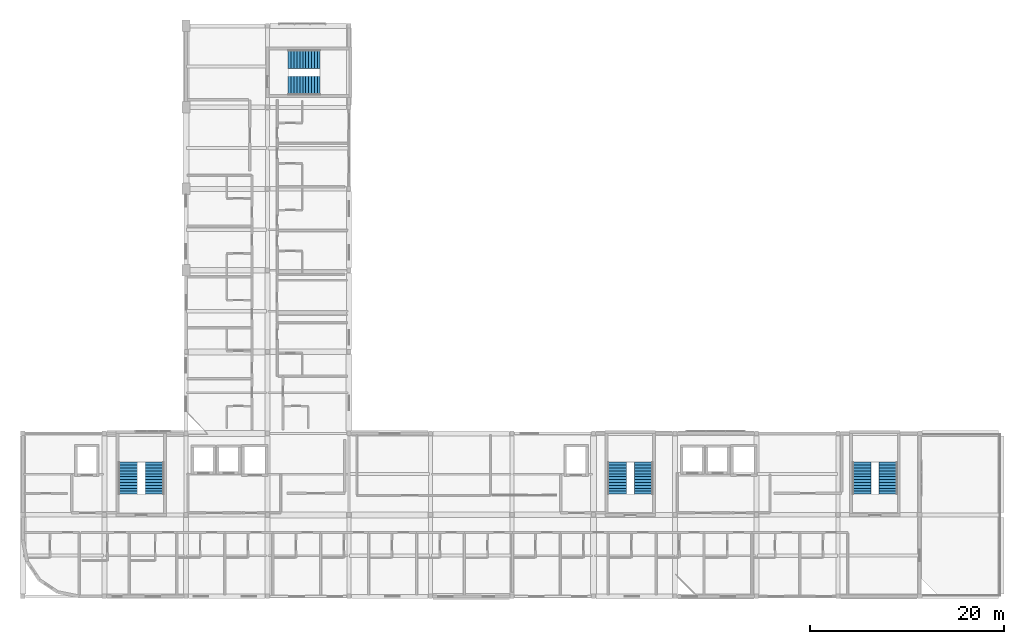
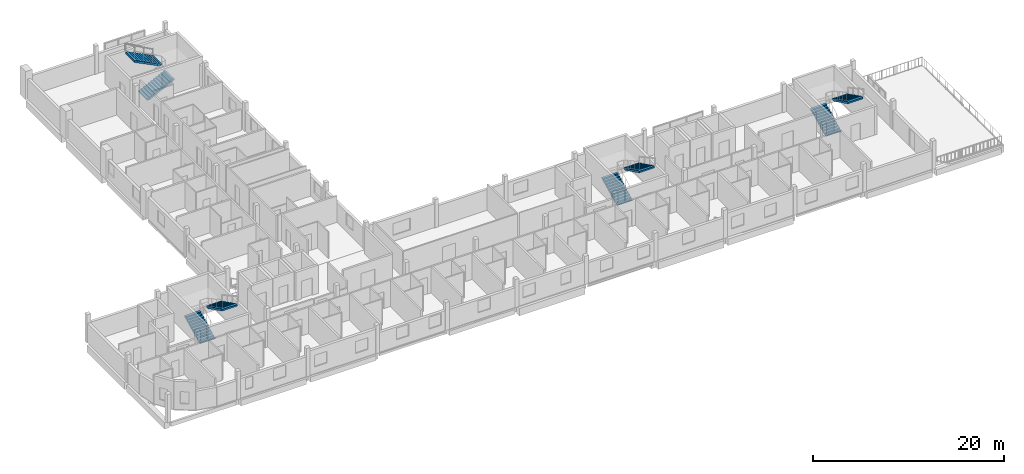
# One storey, part 17 of 19: 8 stair flights, 4 elements without a shape of their own.
"""IFC4 building model written with IfcOpenShell, lengths in metres."""

from ifc_helpers import new_model, si_unit, derived_unit, direction, frame, origin, place, context, subcontext, project, spatial, polyline, outline, extrude, material, type_object, element, aggregate, save


model = new_model("IFC4")

# Units and contexts
model_context = context("Model", 3, precision=1e-05, world=origin(), true_north=direction((0.0, 1.0)))
body_context = subcontext(model_context, "Body", "Model", "MODEL_VIEW")
ifc_project = project(units=[si_unit("LENGTHUNIT", "METRE"), si_unit("AREAUNIT", "SQUARE_METRE"), si_unit("VOLUMEUNIT", "CUBIC_METRE"), si_unit("PLANEANGLEUNIT", "RADIAN"), si_unit("MASSUNIT", "GRAM", prefix="KILO"), derived_unit("THERMALTRANSMITTANCEUNIT", [(si_unit("POWERUNIT", "WATT"), 1), (si_unit("LENGTHUNIT", "METRE"), -2), (si_unit("THERMODYNAMICTEMPERATUREUNIT", "KELVIN"), -1)])], contexts=[model_context])

# Site, building, storey
site_placement = place(None, origin())
site = spatial("IfcSite", under=ifc_project, at=site_placement, CompositionType="ELEMENT")
building_placement = place(site_placement, origin())
building = spatial("IfcBuilding", under=site, at=building_placement, Name="Barrovel Congress Hotel", CompositionType="ELEMENT")
storey_placement = place(building_placement, frame((0.0, 0.0, 43.5)))
storey = spatial("IfcBuildingStorey", under=building, at=storey_placement, Name="L11", CompositionType="ELEMENT", Elevation=43.5)

# Stair, stair flights
ifc_material = material(Name="Concrete C40", Category="concrete")
stair_type_1 = type_object("IfcStairType", Name="STR-HT-360", PredefinedType="HALF_TURN_STAIR", material=ifc_material)
stair_1_placement = place(storey_placement, origin())
stair_1 = element("IfcStair", 1, at=stair_1_placement, inside=storey, type_object=stair_type_1, Name="Exit Stair XS-01 (L11)", PredefinedType="HALF_TURN_STAIR")
stair_flight_type_1 = type_object("IfcStairFlightType", Name="SFL-200x180", PredefinedType="STRAIGHT", material=ifc_material)
stair_flight_1_placement = place(storey_placement, frame((27.679931640625, 14.739990234375, 0.0), z_axis=(0.0, 0.0, 1.0), x_axis=(0.0, 1.0, 0.0)))
stair_flight_1 = element("IfcStairFlight", 2, at=stair_flight_1_placement, type_object=stair_flight_type_1, Name="STAIR:XS-01:L11:F1", NumberOfRisers=12, NumberOfTreads=11, PredefinedType="STRAIGHT", RiserHeight=0.15, TreadLength=0.3, context=body_context, shape_type="SweptSolid", body=[
    extrude(outline(polyline([(0.0, 0.0), (0.0, 0.14990234375), (0.300048828125, 0.14990234375), (0.300048828125, 0.300048828125), (0.60009765625, 0.300048828125), (0.60009765625, 0.449951171875), (0.89990234375, 0.449951171875), (0.89990234375, 0.60009765625), (1.199951171875, 0.60009765625), (1.199951171875, 0.75), (1.5, 0.75), (1.5, 0.89990234375), (1.800048828125, 0.89990234375), (1.800048828125, 1.050048828125), (2.10009765625, 1.050048828125), (2.10009765625, 1.199951171875), (2.39990234375, 1.199951171875), (2.39990234375, 1.35009765625), (2.699951171875, 1.35009765625), (2.699951171875, 1.5), (3.0, 1.5), (3.0, 1.64990234375), (3.300048828125, 1.64990234375), (3.300048828125, 1.800048828125), (3.300048828125, 1.44873046875), (0.40234375, 0.0), (0.0, 0.0)])), frame((0.0, 0.919921875, 0.0), z_axis=(0.0, -1.0, 0.0), x_axis=(1.0, 0.0, 0.0)), (0.0, 0.0, 1.0), 1.840087890625),
])
stair_flight_2_placement = place(storey_placement, frame((30.320068359375, 18.0400390625, 1.800048828125), z_axis=(0.0, 0.0, 1.0), x_axis=(0.0, -1.0, 0.0)))
stair_flight_2 = element("IfcStairFlight", 3, at=stair_flight_2_placement, type_object=stair_flight_type_1, Name="STAIR:XS-01:L11:F2", NumberOfRisers=12, NumberOfTreads=11, PredefinedType="STRAIGHT", RiserHeight=0.15, TreadLength=0.3, context=body_context, shape_type="SweptSolid", body=[
    extrude(outline(polyline([(0.0, 0.0), (0.0, 0.14990234375), (0.300048828125, 0.14990234375), (0.300048828125, 0.300048828125), (0.60009765625, 0.300048828125), (0.60009765625, 0.449951171875), (0.89990234375, 0.449951171875), (0.89990234375, 0.60009765625), (1.199951171875, 0.60009765625), (1.199951171875, 0.75), (1.5, 0.75), (1.5, 0.89990234375), (1.800048828125, 0.89990234375), (1.800048828125, 1.050048828125), (2.10009765625, 1.050048828125), (2.10009765625, 1.199951171875), (2.39990234375, 1.199951171875), (2.39990234375, 1.35009765625), (2.699951171875, 1.35009765625), (2.699951171875, 1.5), (3.0, 1.5), (3.0, 1.64990234375), (3.300048828125, 1.64990234375), (3.300048828125, 1.800048828125), (3.300048828125, 1.44873046875), (0.40234375, 0.0), (0.0, 0.0)])), frame((0.0, 0.919921875, 0.0), z_axis=(0.0, -1.0, 0.0), x_axis=(1.0, 0.0, 0.0)), (0.0, 0.0, 1.0), 1.840087890625),
])
aggregate(stair_1, [stair_flight_1, stair_flight_2])

stair_2_placement = place(storey_placement, origin())
stair_2 = element("IfcStair", 4, at=stair_2_placement, inside=storey, type_object=stair_type_1, Name="Exit Stair XS-02 (L11)", PredefinedType="HALF_TURN_STAIR")
stair_flight_3_placement = place(storey_placement, frame((78.080078125, 14.739990234375, 0.0), z_axis=(0.0, 0.0, 1.0), x_axis=(0.0, 1.0, 0.0)))
stair_flight_3 = element("IfcStairFlight", 5, at=stair_flight_3_placement, type_object=stair_flight_type_1, Name="STAIR:XS-02:L11:F1", NumberOfRisers=12, NumberOfTreads=11, PredefinedType="STRAIGHT", RiserHeight=0.15, TreadLength=0.3, context=body_context, shape_type="SweptSolid", body=[
    extrude(outline(polyline([(0.0, 0.0), (0.0, 0.14990234375), (0.300048828125, 0.14990234375), (0.300048828125, 0.300048828125), (0.60009765625, 0.300048828125), (0.60009765625, 0.449951171875), (0.89990234375, 0.449951171875), (0.89990234375, 0.60009765625), (1.199951171875, 0.60009765625), (1.199951171875, 0.75), (1.5, 0.75), (1.5, 0.89990234375), (1.800048828125, 0.89990234375), (1.800048828125, 1.050048828125), (2.10009765625, 1.050048828125), (2.10009765625, 1.199951171875), (2.39990234375, 1.199951171875), (2.39990234375, 1.35009765625), (2.699951171875, 1.35009765625), (2.699951171875, 1.5), (3.0, 1.5), (3.0, 1.64990234375), (3.300048828125, 1.64990234375), (3.300048828125, 1.800048828125), (3.300048828125, 1.44873046875), (0.40234375, 0.0), (0.0, 0.0)])), frame((0.0, 0.919921875, 0.0), z_axis=(0.0, -1.0, 0.0), x_axis=(1.0, 0.0, 0.0)), (0.0, 0.0, 1.0), 1.840087890625),
])
stair_flight_4_placement = place(storey_placement, frame((80.719970703125, 18.0400390625, 1.800048828125), z_axis=(0.0, 0.0, 1.0), x_axis=(0.0, -1.0, 0.0)))
stair_flight_4 = element("IfcStairFlight", 6, at=stair_flight_4_placement, type_object=stair_flight_type_1, Name="STAIR:XS-02:L11:F2", NumberOfRisers=12, NumberOfTreads=11, PredefinedType="STRAIGHT", RiserHeight=0.15, TreadLength=0.3, context=body_context, shape_type="SweptSolid", body=[
    extrude(outline(polyline([(0.0, 0.0), (0.0, 0.14990234375), (0.300048828125, 0.14990234375), (0.300048828125, 0.300048828125), (0.60009765625, 0.300048828125), (0.60009765625, 0.449951171875), (0.89990234375, 0.449951171875), (0.89990234375, 0.60009765625), (1.199951171875, 0.60009765625), (1.199951171875, 0.75), (1.5, 0.75), (1.5, 0.89990234375), (1.800048828125, 0.89990234375), (1.800048828125, 1.050048828125), (2.10009765625, 1.050048828125), (2.10009765625, 1.199951171875), (2.39990234375, 1.199951171875), (2.39990234375, 1.35009765625), (2.699951171875, 1.35009765625), (2.699951171875, 1.5), (3.0, 1.5), (3.0, 1.64990234375), (3.300048828125, 1.64990234375), (3.300048828125, 1.800048828125), (3.300048828125, 1.44873046875), (0.40234375, 0.0), (0.0, 0.0)])), frame((0.0, 0.919921875, 0.0), z_axis=(0.0, -1.0, 0.0), x_axis=(1.0, 0.0, 0.0)), (0.0, 0.0, 1.0), 1.840087890625),
])
aggregate(stair_2, [stair_flight_3, stair_flight_4])

stair_3_placement = place(storey_placement, origin())
stair_3 = element("IfcStair", 7, at=stair_3_placement, inside=storey, type_object=stair_type_1, Name="Exit Stair XS-03 (L11)", PredefinedType="HALF_TURN_STAIR")
stair_flight_5_placement = place(storey_placement, frame((103.280029296875, 14.739990234375, 0.0), z_axis=(0.0, 0.0, 1.0), x_axis=(0.0, 1.0, 0.0)))
stair_flight_5 = element("IfcStairFlight", 8, at=stair_flight_5_placement, type_object=stair_flight_type_1, Name="STAIR:XS-03:L11:F1", NumberOfRisers=12, NumberOfTreads=11, PredefinedType="STRAIGHT", RiserHeight=0.15, TreadLength=0.3, context=body_context, shape_type="SweptSolid", body=[
    extrude(outline(polyline([(0.0, 0.0), (0.0, 0.14990234375), (0.300048828125, 0.14990234375), (0.300048828125, 0.300048828125), (0.60009765625, 0.300048828125), (0.60009765625, 0.449951171875), (0.89990234375, 0.449951171875), (0.89990234375, 0.60009765625), (1.199951171875, 0.60009765625), (1.199951171875, 0.75), (1.5, 0.75), (1.5, 0.89990234375), (1.800048828125, 0.89990234375), (1.800048828125, 1.050048828125), (2.10009765625, 1.050048828125), (2.10009765625, 1.199951171875), (2.39990234375, 1.199951171875), (2.39990234375, 1.35009765625), (2.699951171875, 1.35009765625), (2.699951171875, 1.5), (3.0, 1.5), (3.0, 1.64990234375), (3.300048828125, 1.64990234375), (3.300048828125, 1.800048828125), (3.300048828125, 1.44873046875), (0.40234375, 0.0), (0.0, 0.0)])), frame((0.0, 0.919921875, 0.0), z_axis=(0.0, -1.0, 0.0), x_axis=(1.0, 0.0, 0.0)), (0.0, 0.0, 1.0), 1.840087890625),
])
stair_flight_6_placement = place(storey_placement, frame((105.919921875, 18.0400390625, 1.800048828125), z_axis=(0.0, 0.0, 1.0), x_axis=(0.0, -1.0, 0.0)))
stair_flight_6 = element("IfcStairFlight", 9, at=stair_flight_6_placement, type_object=stair_flight_type_1, Name="STAIR:XS-03:L11:F2", NumberOfRisers=12, NumberOfTreads=11, PredefinedType="STRAIGHT", RiserHeight=0.15, TreadLength=0.3, context=body_context, shape_type="SweptSolid", body=[
    extrude(outline(polyline([(0.0, 0.0), (0.0, 0.14990234375), (0.300048828125, 0.14990234375), (0.300048828125, 0.300048828125), (0.60009765625, 0.300048828125), (0.60009765625, 0.449951171875), (0.89990234375, 0.449951171875), (0.89990234375, 0.60009765625), (1.199951171875, 0.60009765625), (1.199951171875, 0.75), (1.5, 0.75), (1.5, 0.89990234375), (1.800048828125, 0.89990234375), (1.800048828125, 1.050048828125), (2.10009765625, 1.050048828125), (2.10009765625, 1.199951171875), (2.39990234375, 1.199951171875), (2.39990234375, 1.35009765625), (2.699951171875, 1.35009765625), (2.699951171875, 1.5), (3.0, 1.5), (3.0, 1.64990234375), (3.300048828125, 1.64990234375), (3.300048828125, 1.800048828125), (3.300048828125, 1.44873046875), (0.40234375, 0.0), (0.0, 0.0)])), frame((0.0, 0.919921875, 0.0), z_axis=(0.0, -1.0, 0.0), x_axis=(1.0, 0.0, 0.0)), (0.0, 0.0, 1.0), 1.840087890625),
])
aggregate(stair_3, [stair_flight_5, stair_flight_6])

stair_type_2 = type_object("IfcStairType", Name="STR-DR-360", PredefinedType="DOUBLE_RETURN_STAIR", material=ifc_material)
stair_4_placement = place(storey_placement, origin())
stair_4 = element("IfcStair", 10, at=stair_4_placement, inside=storey, type_object=stair_type_2, Name="Exit Stair XS-05 (L11)", PredefinedType="DOUBLE_RETURN_STAIR")
stair_flight_type_2 = type_object("IfcStairFlightType", Name="SFL-205x180", PredefinedType="STRAIGHT", material=ifc_material)
stair_flight_7_placement = place(storey_placement, frame((44.139892578125, 56.889892578125, 0.0), z_axis=(0.0, 0.0, 1.0), x_axis=(1.0, 0.0, 0.0)))
stair_flight_7 = element("IfcStairFlight", 11, at=stair_flight_7_placement, type_object=stair_flight_type_2, Name="STAIR:XS-05:L11:F1", NumberOfRisers=12, NumberOfTreads=11, PredefinedType="STRAIGHT", RiserHeight=0.15, TreadLength=0.3, context=body_context, shape_type="SweptSolid", body=[
    extrude(outline(polyline([(0.0, 0.0), (0.0, 0.14990234375), (0.300048828125, 0.14990234375), (0.300048828125, 0.300048828125), (0.60009765625, 0.300048828125), (0.60009765625, 0.449951171875), (0.89990234375, 0.449951171875), (0.89990234375, 0.60009765625), (1.199951171875, 0.60009765625), (1.199951171875, 0.75), (1.5, 0.75), (1.5, 0.89990234375), (1.800048828125, 0.89990234375), (1.800048828125, 1.050048828125), (2.10009765625, 1.050048828125), (2.10009765625, 1.199951171875), (2.39990234375, 1.199951171875), (2.39990234375, 1.35009765625), (2.699951171875, 1.35009765625), (2.699951171875, 1.5), (3.0, 1.5), (3.0, 1.64990234375), (3.300048828125, 1.64990234375), (3.300048828125, 1.800048828125), (3.300048828125, 1.44873046875), (0.40234375, 0.0), (0.0, 0.0)])), frame((0.0, 0.93017578125, 0.0), z_axis=(0.0, -1.0, 0.0), x_axis=(1.0, 0.0, 0.0)), (0.0, 0.0, 1.0), 1.860107421875),
])
stair_flight_8_placement = place(storey_placement, frame((47.43994140625, 59.510009765625, 1.800048828125), z_axis=(0.0, 0.0, 1.0), x_axis=(-1.0, 0.0, 0.0)))
stair_flight_8 = element("IfcStairFlight", 12, at=stair_flight_8_placement, type_object=stair_flight_type_2, Name="STAIR:XS-05:L11:F2", NumberOfRisers=12, NumberOfTreads=11, PredefinedType="STRAIGHT", RiserHeight=0.15, TreadLength=0.3, context=body_context, shape_type="SweptSolid", body=[
    extrude(outline(polyline([(0.0, 0.0), (0.0, 0.14990234375), (0.300048828125, 0.14990234375), (0.300048828125, 0.300048828125), (0.60009765625, 0.300048828125), (0.60009765625, 0.449951171875), (0.89990234375, 0.449951171875), (0.89990234375, 0.60009765625), (1.199951171875, 0.60009765625), (1.199951171875, 0.75), (1.5, 0.75), (1.5, 0.89990234375), (1.800048828125, 0.89990234375), (1.800048828125, 1.050048828125), (2.10009765625, 1.050048828125), (2.10009765625, 1.199951171875), (2.39990234375, 1.199951171875), (2.39990234375, 1.35009765625), (2.699951171875, 1.35009765625), (2.699951171875, 1.5), (3.0, 1.5), (3.0, 1.64990234375), (3.300048828125, 1.64990234375), (3.300048828125, 1.800048828125), (3.300048828125, 1.44873046875), (0.40234375, 0.0), (0.0, 0.0)])), frame((0.0, 0.93017578125, 0.0), z_axis=(0.0, -1.0, 0.0), x_axis=(1.0, 0.0, 0.0)), (0.0, 0.0, 1.0), 1.860107421875),
])
aggregate(stair_4, [stair_flight_7, stair_flight_8])

save(model, "model.ifc")
